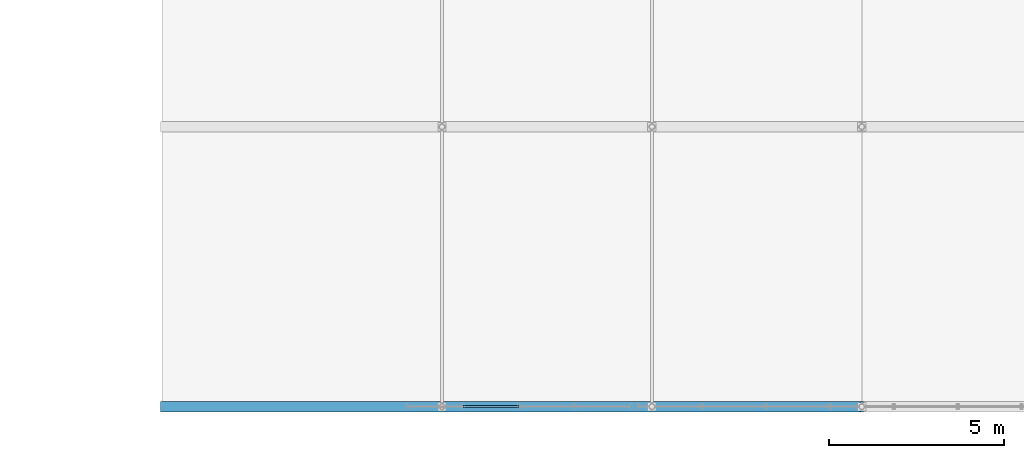
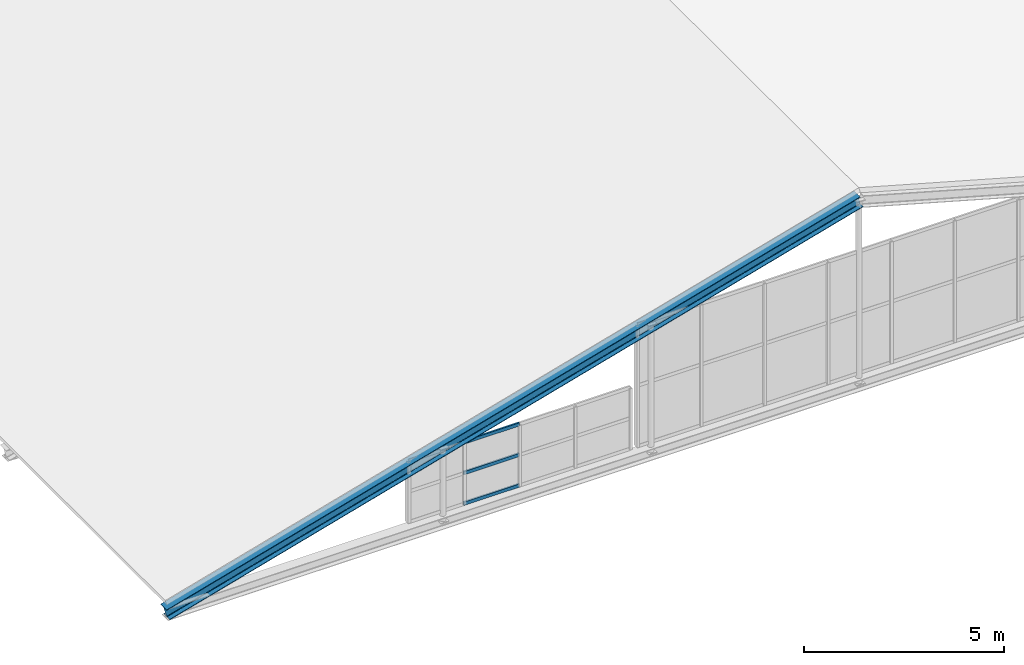
# One storey, part 4 of 49: 4 members, 1 element without a shape of its own.
"""IFC4 building model written with IfcOpenShell, lengths in metres."""

from ifc_helpers import new_model, si_unit, direction, frame, origin, origin_2d, place, context, subcontext, project, spatial, hollow_rectangle, i_section, extrude, material, material_profile, profile_set, type_object, element, aggregate, save


model = new_model("IFC4")

# Units and contexts
model_context = context("Model", 3, precision=1e-05, world=origin(), true_north=direction((0.0, 1.0)))
body_context = subcontext(model_context, "Body", "Model", "MODEL_VIEW")
ifc_project = project(units=[si_unit("LENGTHUNIT", "METRE"), si_unit("AREAUNIT", "SQUARE_METRE"), si_unit("VOLUMEUNIT", "CUBIC_METRE"), si_unit("PLANEANGLEUNIT", "RADIAN"), si_unit("MASSUNIT", "GRAM", prefix="KILO")], contexts=[model_context])

# Site, building, storey
site_placement = place(None, origin())
site = spatial("IfcSite", under=ifc_project, at=site_placement, CompositionType="ELEMENT")
building_placement = place(site_placement, origin())
building = spatial("IfcBuilding", under=site, at=building_placement, Name="Sundkrona Museum", CompositionType="ELEMENT")
storey_placement = place(building_placement, frame((0.0, 0.0, 26.0)))
storey = spatial("IfcBuildingStorey", under=building, at=storey_placement, Name="L05", CompositionType="ELEMENT", Elevation=26.0)

# Member
ifc_material_1 = material(Name="Steel S355J2", Category="steel")
ifc_material_profile_1 = material_profile(ifc_material_1, i_section(OverallWidth=0.300048828125, OverallDepth=0.35009765625, WebThickness=0.010009765625, FlangeThickness=0.017578125, FilletRadius=0.027099609375, at=origin_2d()), Name="HEA 360")
ifc_profile_set_1 = profile_set([ifc_material_profile_1], Name="Steel S355J2")
member_type_1 = type_object("IfcMemberType", Name="TC-HEA360", PredefinedType="CHORD", material=ifc_profile_set_1)
member_1_placement = place(storey_placement, frame((80.0, 0.0, -0.39990234375), z_axis=(0.963039069801, 0.0, 0.269361745683), x_axis=(0.0, 1.0, 0.0)))
element("IfcMember", 1, at=member_1_placement, inside=storey, type_object=member_type_1, Name="RFS-1 Atrium Truss 1 West Rafter Chord", PredefinedType="CHORD", context=body_context, shape_type="SweptSolid", body=[
    extrude(i_section(OverallWidth=0.300048828125, OverallDepth=0.35009765625, WebThickness=0.010009765625, FlangeThickness=0.017578125, FilletRadius=0.027099609375, at=origin_2d()), origin(), (0.0, 0.0, 1.0), 20.767578125),
])

# Curtain wall, members
ifc_material_2 = material(Name="Unitised Aluminium-Steel and Ceramic-Clad Curtain Walling", Category="steel")
curtain_wall_type = type_object("IfcCurtainWallType", Name="CW-SW-240x13", PredefinedType="NOTDEFINED", material=ifc_material_2)
curtain_wall_placement = place(storey_placement, origin())
curtain_wall = element("IfcCurtainWall", 2, at=curtain_wall_placement, inside=storey, type_object=curtain_wall_type, Name="Atrium S Glazed Gable Tympanum 2", PredefinedType="NOTDEFINED")
ifc_material_3 = material(Name="Aluminium EN AW-6060 T66", Category="aluminium")
ifc_material_profile_2 = material_profile(ifc_material_3, hollow_rectangle(XDim=0.050048828125, YDim=0.10009765625, WallThickness=0.0048828125, at=origin_2d()), Name="RHS 100x50x5.0")
ifc_profile_set_2 = profile_set([ifc_material_profile_2], Name="Aluminium EN AW-6060 T66")
member_type_2 = type_object("IfcMemberType", Name="TR-100", PredefinedType="USERDEFINED", material=ifc_profile_set_2)
member_2_placement = place(storey_placement, frame((88.60009765625, 0.0, -0.10009765625), z_axis=(1.0, 0.0, 0.0), x_axis=(0.0, 1.0, 0.0)))
member_2 = element("IfcMember", 3, at=member_2_placement, type_object=member_type_2, Name="CW-ATR-GBL-S2 Transom 04", ObjectType="TRANSOM", PredefinedType="USERDEFINED", context=body_context, shape_type="SweptSolid", body=[
    extrude(hollow_rectangle(XDim=0.050048828125, YDim=0.10009765625, WallThickness=0.0048828125, at=origin_2d()), origin(), (0.0, 0.0, 1.0), 1.599853515625),
])
member_3_placement = place(storey_placement, frame((88.60009765625, 0.0, 0.83203125), z_axis=(1.0, 0.0, 0.0), x_axis=(0.0, 1.0, 0.0)))
member_3 = element("IfcMember", 4, at=member_3_placement, type_object=member_type_2, Name="CW-ATR-GBL-S2 Transom 05", ObjectType="TRANSOM", PredefinedType="USERDEFINED", context=body_context, shape_type="SweptSolid", body=[
    extrude(hollow_rectangle(XDim=0.050048828125, YDim=0.10009765625, WallThickness=0.0048828125, at=origin_2d()), origin(), (0.0, 0.0, 1.0), 1.599853515625),
])
member_4_placement = place(storey_placement, frame((88.60009765625, 0.0, 1.763916015625), z_axis=(1.0, 0.0, 0.0), x_axis=(0.0, 1.0, 0.0)))
member_4 = element("IfcMember", 5, at=member_4_placement, type_object=member_type_2, Name="CW-ATR-GBL-S2 Transom 06", ObjectType="TRANSOM", PredefinedType="USERDEFINED", context=body_context, shape_type="SweptSolid", body=[
    extrude(hollow_rectangle(XDim=0.050048828125, YDim=0.10009765625, WallThickness=0.0048828125, at=origin_2d()), origin(), (0.0, 0.0, 1.0), 1.599853515625),
])
aggregate(curtain_wall, [member_2, member_3, member_4])

save(model, "model.ifc")
